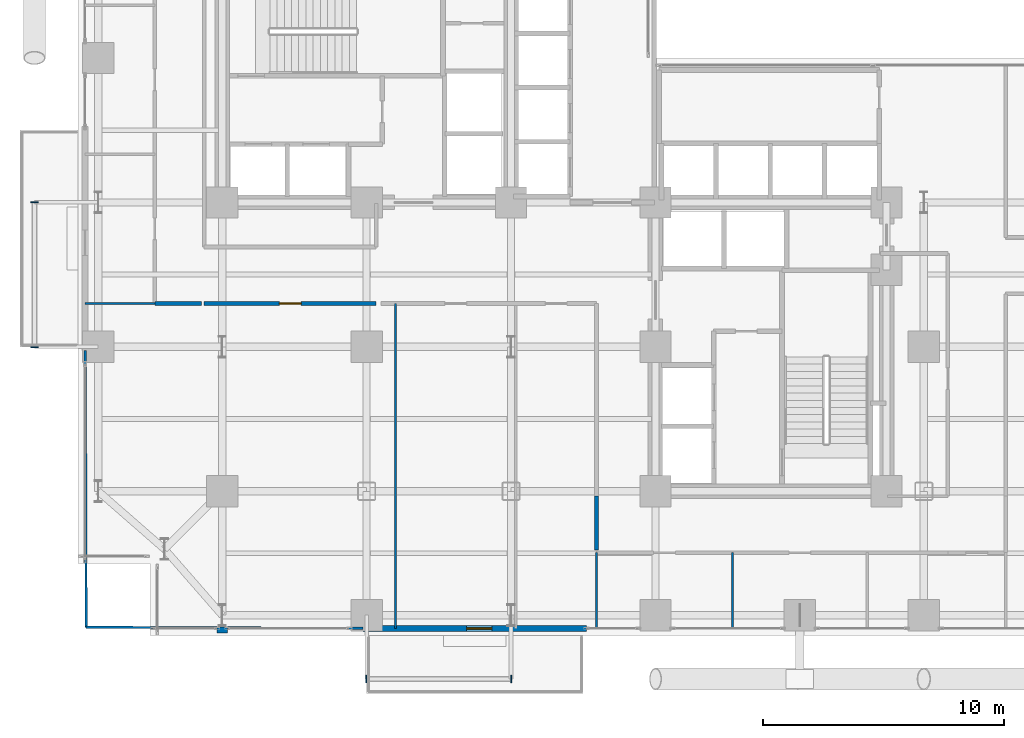
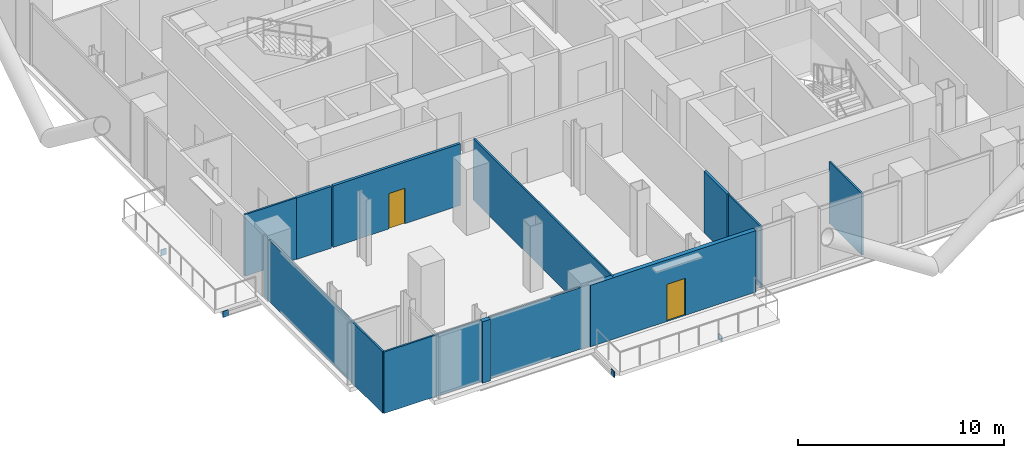
# One storey, part 19 of 25: 12 walls, 4 plates, 2 doors, 2 openings.
"""IFC4 building model written with IfcOpenShell, lengths in metres."""

from ifc_helpers import new_model, si_unit, direction, frame, frame_2d, origin, origin_2d, place, context, subcontext, project, spatial, rectangle, extrude, material, layer, layer_set, type_object, element, fill, save


model = new_model("IFC4")

# Units and contexts
model_context = context("Model", 3, precision=1e-05, world=origin(), true_north=direction((0.0, 1.0)))
body_context = subcontext(model_context, "Body", "Model", "MODEL_VIEW")
ifc_project = project(units=[si_unit("LENGTHUNIT", "METRE"), si_unit("AREAUNIT", "SQUARE_METRE"), si_unit("VOLUMEUNIT", "CUBIC_METRE"), si_unit("PLANEANGLEUNIT", "RADIAN"), si_unit("MASSUNIT", "GRAM", prefix="KILO"), si_unit("THERMODYNAMICTEMPERATUREUNIT", "KELVIN"), si_unit("POWERUNIT", "WATT")], contexts=[model_context])

# Site, building, storey
site_placement = place(None, origin())
site = spatial("IfcSite", under=ifc_project, at=site_placement, CompositionType="ELEMENT")
building_placement = place(site_placement, origin())
building = spatial("IfcBuilding", under=site, at=building_placement, Name="Svarakhadi Broadcast Tower", CompositionType="ELEMENT")
storey_placement = place(building_placement, frame((0.0, 0.0, 32.39990234375)))
storey = spatial("IfcBuildingStorey", under=building, at=storey_placement, Name="L06", CompositionType="ELEMENT", Elevation=32.39990234375)

# Plates
ifc_material_1 = material(Name="Steel S460ML (IS 2062 E450BR)", Category="steel")
ifc_layer_1 = layer(ifc_material_1, 0.028076171875)
ifc_layer_set_1 = layer_set([ifc_layer_1], Name="Steel S460ML (IS 2062 E450BR)")
plate_type = type_object("IfcPlateType", Name="Cap_Plate_CP02", PredefinedType="USERDEFINED", material=ifc_layer_set_1)
for number, where, z_axis, x_axis, name in (
    (1, (11.985107421875, -1.800048828125, -0.580078125), (0.0, 0.0, 1.0), (1.0, 0.0, 0.0), "L06 Balcony Spandrel End Cap Plate 1F-A"),
    (2, (18.014892578125, -1.800048828125, -0.580078125), (0.0, 0.0, 1.0), (1.0, 0.0, 0.0), "L06 Balcony Spandrel End Cap Plate 1F-B"),
):
    element("IfcPlate", number, at=place(storey_placement, frame(where, z_axis=z_axis, x_axis=x_axis)), inside=storey, type_object=plate_type, Name=name, ObjectType="FLANGE_PLATE", PredefinedType="USERDEFINED", context=body_context, shape_type="SweptSolid", body=[
        extrude(rectangle(XDim=0.0400390625, YDim=0.300048828125, at=origin_2d()), origin(), (0.0, 0.0, 1.0), 0.360107421875),
    ])
for number, where, z_axis, x_axis, name in (
    (3, (-1.800048828125, 11.985107421875, -0.580078125), (0.0, 0.0, 1.0), (1.0, 0.0, 0.0), "L06 Balcony Spandrel End Cap Plate 2F-A"),
    (4, (-1.800048828125, 18.014892578125, -0.580078125), (0.0, 0.0, 1.0), (1.0, 0.0, 0.0), "L06 Balcony Spandrel End Cap Plate 2F-B"),
):
    element("IfcPlate", number, at=place(storey_placement, frame(where, z_axis=z_axis, x_axis=x_axis)), inside=storey, type_object=plate_type, Name=name, ObjectType="FLANGE_PLATE", PredefinedType="USERDEFINED", context=body_context, shape_type="SweptSolid", body=[
        extrude(rectangle(XDim=0.300048828125, YDim=0.0400390625, at=origin_2d()), origin(), (0.0, 0.0, 1.0), 0.360107421875),
    ])

# Wall, opening, door
ifc_material_2 = material(Name="Concrete C40/50 (IS 456 M50)", Category="concrete")
ifc_layer_2 = layer(ifc_material_2, 0.239990234375)
ifc_layer_set_2 = layer_set([ifc_layer_2], Name="Concrete C40/50 (IS 456 M50)")
wall_type_1 = type_object("IfcWallType", Name="Wall_Ext_240", PredefinedType="SOLIDWALL", material=ifc_layer_set_2)
wall_1_placement = place(storey_placement, frame((21.14501953125, 0.300048828125, 0.0), z_axis=(0.0, 0.0, 1.0), x_axis=(-1.0, 0.0, 0.0)))
wall_1 = element("IfcWall", 5, at=wall_1_placement, inside=storey, type_object=wall_type_1, Name="L06 South Tree Balcony Spandrel Wall", PredefinedType="SOLIDWALL", context=body_context, shape_type="SweptSolid", body=[
    extrude(rectangle(XDim=9.2900390625, YDim=0.239990234375, at=frame_2d((4.64501953125, 0.0))), origin(), (0.0, 0.0, 1.0), 3.650146484375),
])
opening_1_placement = place(wall_1_placement, frame((3.945068359375, 0.0, 0.0)))
opening_1 = element("IfcOpeningElement", 6, at=opening_1_placement, cuts=wall_1, Name="Opening ED-06", PredefinedType="OPENING", context=body_context, shape_type="SweptSolid", body=[
    extrude(rectangle(XDim=1.050048828125, YDim=2.199951171875, at=frame_2d((0.52490234375, 1.10009765625))), frame((0.0, 0.1298828125, 0.0), z_axis=(0.0, -1.0, 0.0), x_axis=(1.0, 0.0, 0.0)), (0.0, 0.0, 1.0), 0.260009765625),
])
ifc_material_3 = material(Name="Anodised Bronze Aluminium AA 6063-T6", Category="aluminium")
door_type_1 = type_object("IfcDoorType", Name="Door_Ext_ED06", OperationType="SINGLE_SWING_RIGHT", PredefinedType="DOOR", material=ifc_material_3)
door_1_placement = place(opening_1_placement, origin())
door_1 = element("IfcDoor", 7, at=door_1_placement, inside=storey, type_object=door_type_1, Name="L06 South Tree Balcony Door", OperationType="SINGLE_SWING_RIGHT", OverallHeight=2.199951171875, OverallWidth=1.050048828125, PredefinedType="DOOR", context=body_context, shape_type="SweptSolid", body=[
    extrude(rectangle(XDim=1.050048828125, YDim=2.199951171875, at=frame_2d((0.52490234375, 1.10009765625))), frame((0.0, 0.02490234375, 0.0), z_axis=(0.0, -1.0, 0.0), x_axis=(1.0, 0.0, 0.0)), (0.0, 0.0, 1.0), 0.050048828125),
])
fill(opening_1, door_1)

# Walls
wall_2_placement = place(storey_placement, frame((6.215087890625, 0.239990234375, 0.0), z_axis=(0.0, 0.0, 1.0), x_axis=(-1.0, 0.0, 0.0)))
element("IfcWall", 8, at=wall_2_placement, inside=storey, type_object=wall_type_1, Name="L06 Perimeter Bronze Spandrel Closure Wall 06", PredefinedType="SOLIDWALL", context=body_context, shape_type="SweptSolid", body=[
    extrude(rectangle(XDim=0.43017578125, YDim=0.239990234375, at=frame_2d((0.215087890625, 0.0))), origin(), (0.0, 0.0, 1.0), 3.650146484375),
])
ifc_material_4 = material(Name="Fire-Rated Moisture-Resistant Gypsum Board Partition", Category="gypsum")
ifc_layer_3 = layer(ifc_material_4, 0.10009765625)
ifc_layer_set_3 = layer_set([ifc_layer_3], Name="Fire-Rated Moisture-Resistant Gypsum Board Partition")
wall_type_2 = type_object("IfcWallType", Name="Wall_Part_100", PredefinedType="PARTITIONING", material=ifc_layer_set_3)
wall_3_placement = place(storey_placement, frame((0.35009765625, 0.35009765625, 0.0), z_axis=(0.0, 0.0, 1.0), x_axis=(0.999992363151, -0.003908150379, 0.0)))
element("IfcWall", 9, at=wall_3_placement, inside=storey, type_object=wall_type_2, Name="L06 Main Broadcast Newsroom Open Desk Office Wall", PredefinedType="PARTITIONING", context=body_context, shape_type="SweptSolid", body=[
    extrude(rectangle(XDim=5.434814453125, YDim=0.10009765625, at=frame_2d((2.71728515625, 0.0))), origin(), (0.0, 0.0, 1.0), 3.650146484375),
])
wall_4_placement = place(storey_placement, frame((6.215087890625, 0.3271484375, 0.0), z_axis=(0.0, 0.0, 1.0), x_axis=(0.999992410931, -0.003895905674, 0.0)))
element("IfcWall", 10, at=wall_4_placement, inside=storey, type_object=wall_type_2, Name="L06 Main Broadcast Newsroom Open Desk Office Wall", PredefinedType="PARTITIONING", context=body_context, shape_type="SweptSolid", body=[
    extrude(rectangle(XDim=5.639892578125, YDim=0.10009765625, at=frame_2d((2.81982421875, 0.0))), origin(), (0.0, 0.0, 1.0), 3.650146484375),
])
wall_5_placement = place(storey_placement, frame((0.35009765625, 0.35009765625, 0.0), z_axis=(0.0, 0.0, 1.0), x_axis=(-0.003734801216, 0.999993025606, 0.0)))
element("IfcWall", 11, at=wall_5_placement, inside=storey, type_object=wall_type_2, Name="L06 Main Broadcast Newsroom Open Desk Office Wall", PredefinedType="PARTITIONING", context=body_context, shape_type="SweptSolid", body=[
    extrude(rectangle(XDim=11.5048828125, YDim=0.10009765625, at=frame_2d((5.75244140625, 0.0))), origin(), (0.0, 0.0, 1.0), 3.650146484375),
])
wall_6_placement = place(storey_placement, frame((13.199951171875, 0.300048828125, 0.0), z_axis=(0.0, 0.0, 1.0), x_axis=(0.0, 1.0, 0.0)))
element("IfcWall", 12, at=wall_6_placement, inside=storey, type_object=wall_type_2, Name="L06 Main Broadcast Newsroom Open Desk Office Wall", PredefinedType="PARTITIONING", context=body_context, shape_type="SweptSolid", body=[
    extrude(rectangle(XDim=13.5, YDim=0.10009765625, at=frame_2d((6.75, 0.0))), origin(), (0.0, 0.0, 1.0), 3.650146484375),
])
wall_7_placement = place(storey_placement, frame((0.300048828125, 13.800048828125, 0.0), z_axis=(0.0, 0.0, 1.0), x_axis=(1.0, 0.0, 0.0)))
element("IfcWall", 13, at=wall_7_placement, inside=storey, type_object=wall_type_2, Name="L06 Arabian Sea Commentary Booth Wall", PredefinedType="PARTITIONING", context=body_context, shape_type="SweptSolid", body=[
    extrude(rectangle(XDim=2.89990234375, YDim=0.10009765625, at=frame_2d((1.449951171875, 0.0))), origin(), (0.0, 0.0, 1.0), 3.650146484375),
])
for number, where, z_axis, x_axis, name in (
    (14, (21.550048828125, 0.300048828125, 0.0), (0.0, 0.0, 1.0), (0.0, 1.0, 0.0), "L06 South Harbour Editorial Desk Wall"),
    (15, (27.199951171875, 0.300048828125, 0.0), (0.0, 0.0, 1.0), (0.0, 1.0, 0.0), "L06 South Harbour Editorial Desk Wall"),
):
    element("IfcWall", number, at=place(storey_placement, frame(where, z_axis=z_axis, x_axis=x_axis)), inside=storey, type_object=wall_type_2, Name=name, PredefinedType="PARTITIONING", context=body_context, shape_type="SweptSolid", body=[
        extrude(rectangle(XDim=3.14990234375, YDim=0.10009765625, at=frame_2d((1.574951171875, 0.0))), origin(), (0.0, 0.0, 1.0), 3.650146484375),
    ])
ifc_material_5 = material(Name="Autoclaved Aerated Concrete Blockwork 150 mm", Category="masonry")
ifc_layer_4 = layer(ifc_material_5, 0.14990234375)
ifc_layer_set_4 = layer_set([ifc_layer_4], Name="Autoclaved Aerated Concrete Blockwork 150 mm")
wall_type_3 = type_object("IfcWallType", Name="Wall_Part_150", PredefinedType="PARTITIONING", material=ifc_layer_set_4)
wall_8_placement = place(storey_placement, frame((21.550048828125, 3.550048828125, 0.0), z_axis=(0.0, 0.0, 1.0), x_axis=(0.0, 1.0, 0.0)))
element("IfcWall", 16, at=wall_8_placement, inside=storey, type_object=wall_type_3, Name="L06 Broadcast Corridor Wall", PredefinedType="PARTITIONING", context=body_context, shape_type="SweptSolid", body=[
    extrude(rectangle(XDim=2.25, YDim=0.14990234375, at=frame_2d((1.125, 0.0))), origin(), (0.0, 0.0, 1.0), 3.650146484375),
])

# Wall, opening, door
wall_9_placement = place(storey_placement, frame((12.39990234375, 13.800048828125, 0.0), z_axis=(0.0, 0.0, 1.0), x_axis=(-1.0, 0.0, 0.0)))
wall_9 = element("IfcWall", 17, at=wall_9_placement, inside=storey, type_object=wall_type_3, Name="L06 Broadcast Corridor Wall", PredefinedType="PARTITIONING", context=body_context, shape_type="SweptSolid", body=[
    extrude(rectangle(XDim=7.14990234375, YDim=0.14990234375, at=frame_2d((3.574951171875, 0.0))), origin(), (0.0, 0.0, 1.0), 3.650146484375),
])
opening_2_placement = place(wall_9_placement, frame((3.125, 0.0, 0.0)))
opening_2 = element("IfcOpeningElement", 18, at=opening_2_placement, cuts=wall_9, Name="Opening D-14", PredefinedType="OPENING", context=body_context, shape_type="SweptSolid", body=[
    extrude(rectangle(XDim=0.89990234375, YDim=2.10009765625, at=frame_2d((0.449951171875, 1.050048828125))), frame((0.0, 0.0849609375, 0.0), z_axis=(0.0, -1.0, 0.0), x_axis=(1.0, 0.0, 0.0)), (0.0, 0.0, 1.0), 0.169921875),
])
ifc_material_6 = material(Name="Solid-Core Teak Veneer Acoustic Timber Leaf", Category="wood")
door_type_2 = type_object("IfcDoorType", Name="Door_Int_D14", OperationType="SINGLE_SWING_LEFT", PredefinedType="DOOR", material=ifc_material_6)
door_2_placement = place(opening_2_placement, origin())
door_2 = element("IfcDoor", 19, at=door_2_placement, inside=storey, type_object=door_type_2, Name="L06 Main Broadcast Newsroom Open Desk Office Door", OperationType="SINGLE_SWING_LEFT", OverallHeight=2.10009765625, OverallWidth=0.89990234375, PredefinedType="DOOR", context=body_context, shape_type="SweptSolid", body=[
    extrude(rectangle(XDim=0.89990234375, YDim=2.10009765625, at=frame_2d((0.449951171875, 1.050048828125))), frame((0.0, 0.02490234375, 0.0), z_axis=(0.0, -1.0, 0.0), x_axis=(1.0, 0.0, 0.0)), (0.0, 0.0, 1.0), 0.050048828125),
])
fill(opening_2, door_2)

# Wall
wall_10_placement = place(storey_placement, frame((5.14990234375, 13.800048828125, 0.0), z_axis=(0.0, 0.0, 1.0), x_axis=(-1.0, 0.0, 0.0)))
element("IfcWall", 20, at=wall_10_placement, inside=storey, type_object=wall_type_3, Name="L06 Broadcast Corridor Wall", PredefinedType="PARTITIONING", context=body_context, shape_type="SweptSolid", body=[
    extrude(rectangle(XDim=1.949951171875, YDim=0.14990234375, at=frame_2d((0.97509765625, 0.0))), origin(), (0.0, 0.0, 1.0), 3.650146484375),
])

save(model, "model.ifc")
